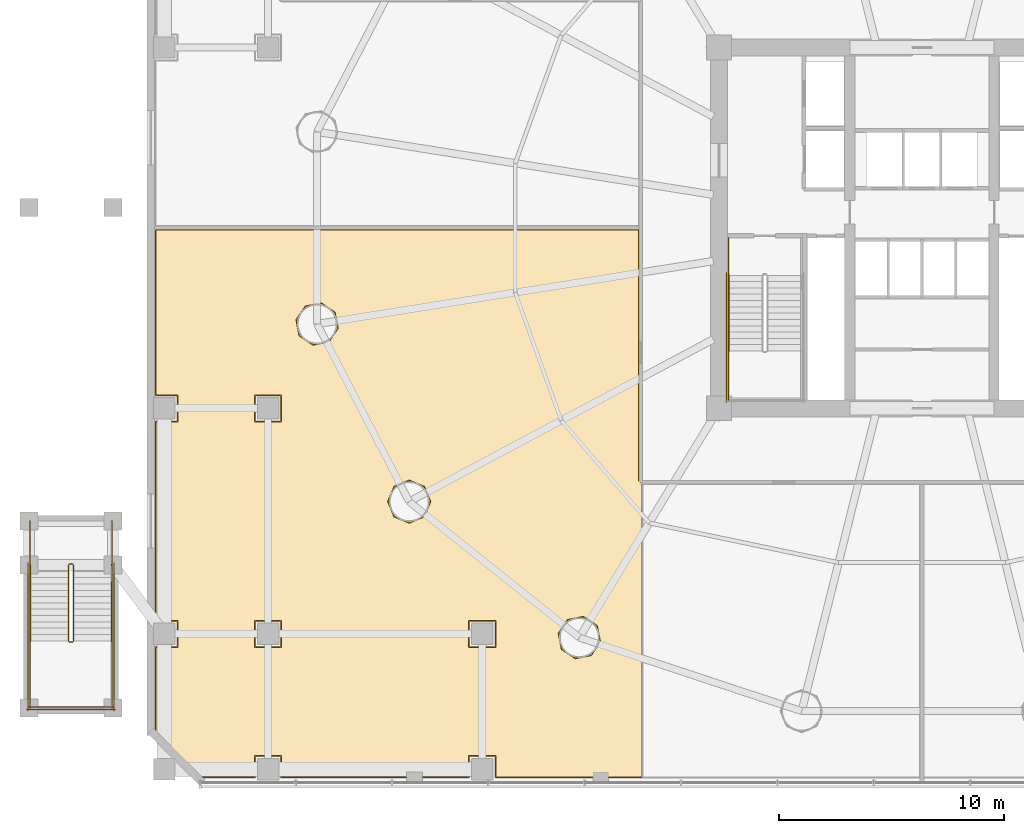
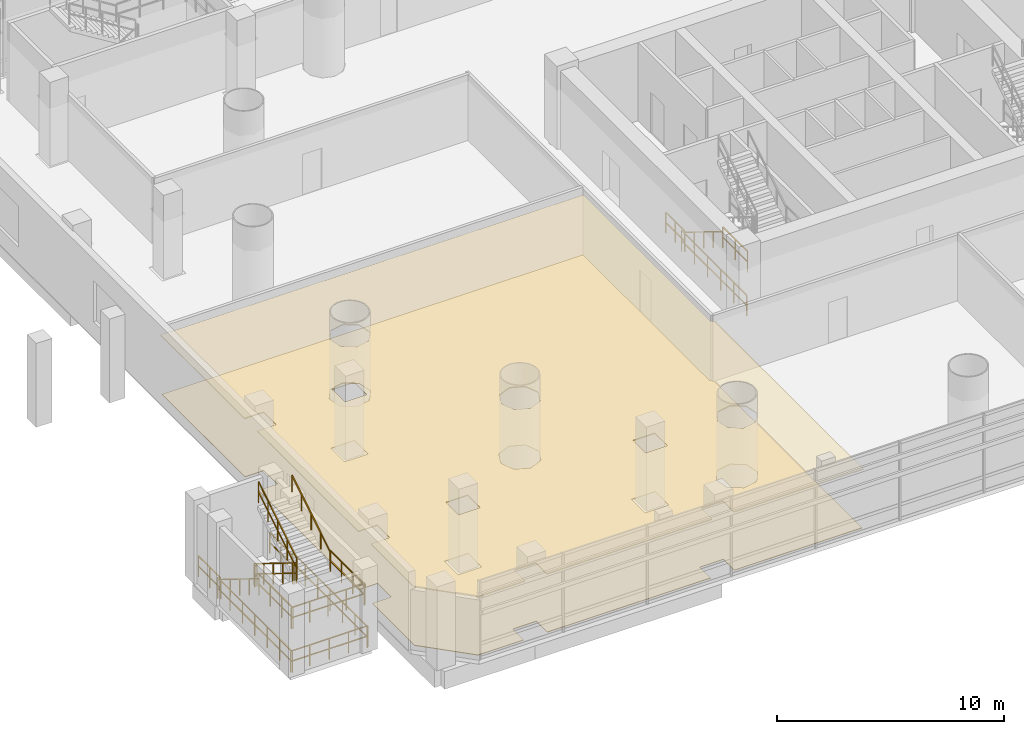
# One storey, part 27 of 36: 18 railings, 2 coverings.
"""IFC4 building model written with IfcOpenShell, lengths in metres."""

from ifc_helpers import new_model, si_unit, direction, frame, origin, origin_2d, place, context, subcontext, project, spatial, polyline, rectangle, outline, extrude, material, layer, layer_set, type_object, element, save


model = new_model("IFC4")

# Units and contexts
model_context = context("Model", 3, precision=1e-05, world=origin(), true_north=direction((-0.2419218956, 0.970295726276)))
body_context = subcontext(model_context, "Body", "Model", "MODEL_VIEW")
ifc_project = project(units=[si_unit("LENGTHUNIT", "METRE"), si_unit("AREAUNIT", "SQUARE_METRE"), si_unit("VOLUMEUNIT", "CUBIC_METRE"), si_unit("PLANEANGLEUNIT", "RADIAN"), si_unit("MASSUNIT", "GRAM", prefix="KILO")], contexts=[model_context])

# Site, building, storey
site_placement = place(None, origin())
site = spatial("IfcSite", under=ifc_project, at=site_placement, CompositionType="ELEMENT")
building_placement = place(site_placement, origin())
building = spatial("IfcBuilding", under=site, at=building_placement, Name="Cobrevalo Terracotta Tower", CompositionType="ELEMENT")
storey_placement = place(building_placement, frame((0.0, 0.0, 5.39990234375)))
storey = spatial("IfcBuildingStorey", under=building, at=storey_placement, Name="L01", CompositionType="ELEMENT", Elevation=5.39990234375)

# Coverings
ifc_material_1 = material(Name="Honed terracotta and granite tile", Category="masonry")
ifc_layer_1 = layer(ifc_material_1, 0.034912109375)
ifc_layer_set_1 = layer_set([ifc_layer_1], Name="Honed terracotta and granite tile")
covering_type_1 = type_object("IfcCoveringType", Name="Honed Terracotta & Granite Interior Flooring 35", PredefinedType="FLOORING", material=ifc_layer_set_1)
covering_1_placement = place(storey_placement, origin())
element("IfcCovering", 1, at=covering_1_placement, inside=storey, type_object=covering_type_1, Name="L01 Terracotta Design Gallery floor finish", PredefinedType="FLOORING", context=body_context, shape_type="SweptSolid", body=[
    extrude(outline(polyline([(4.0400390625, 4.478271484375), (4.0400390625, 8.199951171875), (5.0, 8.199951171875), (5.0, 9.39990234375), (4.0400390625, 9.39990234375), (4.0400390625, 18.199951171875), (5.0, 18.199951171875), (5.0, 19.39990234375), (4.0400390625, 19.39990234375), (4.0400390625, 26.699951171875), (25.419921875, 26.699951171875), (25.419921875, 15.59814453125), (25.580078125, 15.423583984375), (25.580078125, 2.43994140625), (19.10009765625, 2.43994140625), (19.10009765625, 3.39990234375), (17.89990234375, 3.39990234375), (17.89990234375, 2.43994140625), (9.60009765625, 2.43994140625), (9.60009765625, 3.39990234375), (8.39990234375, 3.39990234375), (8.39990234375, 2.43994140625), (6.078369140625, 2.43994140625), (4.0400390625, 4.478271484375)]), holes=[polyline([(23.338623046875, 7.833984375), (23.746826171875, 8.445068359375), (23.603515625, 9.165771484375), (22.992431640625, 9.573974609375), (22.271728515625, 9.4306640625), (21.863525390625, 8.819580078125), (22.0068359375, 8.098876953125), (22.617919921875, 7.690673828125), (23.338623046875, 7.833984375)]), polyline([(17.89990234375, 9.39990234375), (17.89990234375, 8.199951171875), (19.10009765625, 8.199951171875), (19.10009765625, 9.39990234375), (17.89990234375, 9.39990234375)]), polyline([(15.938232421875, 13.98193359375), (16.219482421875, 14.660888671875), (15.938232421875, 15.339599609375), (15.25927734375, 15.620849609375), (14.580322265625, 15.339599609375), (14.29931640625, 14.660888671875), (14.580322265625, 13.98193359375), (15.25927734375, 13.70068359375), (15.938232421875, 13.98193359375)]), polyline([(11.708984375, 21.739013671875), (12.1171875, 22.349853515625), (11.973876953125, 23.07080078125), (11.36279296875, 23.47900390625), (10.64208984375, 23.33544921875), (10.23388671875, 22.724609375), (10.377197265625, 22.00390625), (10.98828125, 21.595703125), (11.708984375, 21.739013671875)]), polyline([(8.39990234375, 9.39990234375), (8.39990234375, 8.199951171875), (9.60009765625, 8.199951171875), (9.60009765625, 9.39990234375), (8.39990234375, 9.39990234375)]), polyline([(8.39990234375, 19.39990234375), (8.39990234375, 18.199951171875), (9.60009765625, 18.199951171875), (9.60009765625, 19.39990234375), (8.39990234375, 19.39990234375)])]), origin(), (0.0, 0.0, 1.0), 0.030029296875),
])
ifc_material_2 = material(Name="Acoustic perforated gypsum ceiling", Category="gypsum")
ifc_layer_2 = layer(ifc_material_2, 0.050048828125)
ifc_layer_set_2 = layer_set([ifc_layer_2], Name="Acoustic perforated gypsum ceiling")
covering_type_2 = type_object("IfcCoveringType", Name="Perforated Acoustic Gypsum Ceiling 50", PredefinedType="CEILING", material=ifc_layer_set_2)
covering_2_placement = place(storey_placement, frame((0.0, 0.0, 3.16015625)))
element("IfcCovering", 2, at=covering_2_placement, inside=storey, type_object=covering_type_2, Name="L01 Terracotta Design Gallery acoustic ceiling", PredefinedType="CEILING", context=body_context, shape_type="SweptSolid", body=[
    extrude(outline(polyline([(3.9951171875, 4.459716796875), (3.9951171875, 8.2451171875), (4.955078125, 8.2451171875), (4.955078125, 9.35498046875), (3.9951171875, 9.35498046875), (3.9951171875, 18.2451171875), (4.955078125, 18.2451171875), (4.955078125, 19.35498046875), (3.9951171875, 19.35498046875), (3.9951171875, 26.7451171875), (25.465087890625, 26.7451171875), (25.465087890625, 15.6025390625), (25.625, 15.46044921875), (25.625, 2.39501953125), (19.054931640625, 2.39501953125), (19.054931640625, 3.35498046875), (17.945068359375, 3.35498046875), (17.945068359375, 2.39501953125), (9.554931640625, 2.39501953125), (9.554931640625, 3.35498046875), (8.445068359375, 3.35498046875), (8.445068359375, 2.39501953125), (6.0595703125, 2.39501953125), (3.9951171875, 4.459716796875)]), holes=[polyline([(23.3134765625, 7.87158203125), (23.702392578125, 8.453857421875), (23.56591796875, 9.140625), (22.983642578125, 9.52978515625), (22.296875, 9.39306640625), (21.907958984375, 8.810791015625), (22.04443359375, 8.1240234375), (22.626708984375, 7.735107421875), (23.3134765625, 7.87158203125)]), polyline([(17.945068359375, 9.35498046875), (17.945068359375, 8.2451171875), (19.054931640625, 8.2451171875), (19.054931640625, 9.35498046875), (17.945068359375, 9.35498046875)]), polyline([(15.90625, 14.013916015625), (16.174072265625, 14.660888671875), (15.90625, 15.3076171875), (15.25927734375, 15.57568359375), (14.6123046875, 15.3076171875), (14.344482421875, 14.660888671875), (14.6123046875, 14.013916015625), (15.25927734375, 13.745849609375), (15.90625, 14.013916015625)]), polyline([(11.683837890625, 21.776611328125), (12.07275390625, 22.35888671875), (11.936279296875, 23.045654296875), (11.35400390625, 23.4345703125), (10.667236328125, 23.2978515625), (10.2783203125, 22.7158203125), (10.414794921875, 22.029052734375), (10.9970703125, 21.639892578125), (11.683837890625, 21.776611328125)]), polyline([(8.445068359375, 9.35498046875), (8.445068359375, 8.2451171875), (9.554931640625, 8.2451171875), (9.554931640625, 9.35498046875), (8.445068359375, 9.35498046875)]), polyline([(8.445068359375, 19.35498046875), (8.445068359375, 18.2451171875), (9.554931640625, 18.2451171875), (9.554931640625, 19.35498046875), (8.445068359375, 19.35498046875)])]), origin(), (0.0, 0.0, 1.0), 0.050048828125),
])

# Railings
ifc_material_3 = material(Name="Brushed stainless steel", Category="steel")
railing_type_1 = type_object("IfcRailingType", Name="Stainless Steel Stair Handrail 900", PredefinedType="HANDRAIL", material=ifc_material_3)
railing_1_placement = place(storey_placement, frame((29.425048828125, 24.699951171875, 0.173095703125)))
element("IfcRailing", 3, at=railing_1_placement, inside=storey, type_object=railing_type_1, Name="L01 ST-1 stair handrail 1", PredefinedType="HANDRAIL", context=body_context, shape_type="SweptSolid", body=[
    extrude(rectangle(XDim=0.048095703125, YDim=0.048095703125, at=origin_2d()), frame((0.0, 0.0, 0.8759765625), z_axis=(0.0, -0.850606129759, 0.525803396734), x_axis=(1.0, 0.0, 0.0)), (0.0, 0.0, 1.0), 3.949951171875),
    extrude(rectangle(XDim=0.0419921875, YDim=0.0419921875, at=origin_2d()), origin(), (0.0, 0.0, 1.0), 0.851806640625),
    extrude(rectangle(XDim=0.0419921875, YDim=0.0419921875, at=origin_2d()), frame((0.0, -0.83984375, 0.519287109375)), (0.0, 0.0, 1.0), 0.851806640625),
    extrude(rectangle(XDim=0.0419921875, YDim=0.0419921875, at=origin_2d()), frame((0.0, -1.679931640625, 1.03857421875)), (0.0, 0.0, 1.0), 0.851806640625),
    extrude(rectangle(XDim=0.0419921875, YDim=0.0419921875, at=origin_2d()), frame((0.0, -2.52001953125, 1.5576171875)), (0.0, 0.0, 1.0), 0.851806640625),
    extrude(rectangle(XDim=0.0419921875, YDim=0.0419921875, at=origin_2d()), frame((0.0, -3.35986328125, 2.076904296875)), (0.0, 0.0, 1.0), 0.851806640625),
])
railing_2_placement = place(storey_placement, frame((-1.550048828125, 11.85009765625, 0.173095703125)))
element("IfcRailing", 4, at=railing_2_placement, inside=storey, type_object=railing_type_1, Name="L01 ST-EXT-W stair handrail 1", PredefinedType="HANDRAIL", context=body_context, shape_type="SweptSolid", body=[
    extrude(rectangle(XDim=0.048095703125, YDim=0.048095703125, at=origin_2d()), frame((0.0, 0.0, 0.8759765625), z_axis=(0.0, -0.850623216509, 0.525775754039), x_axis=(1.0, 0.0, 0.0)), (0.0, 0.0, 1.0), 3.9501953125),
    extrude(rectangle(XDim=0.0419921875, YDim=0.0419921875, at=origin_2d()), origin(), (0.0, 0.0, 1.0), 0.851806640625),
    extrude(rectangle(XDim=0.0419921875, YDim=0.0419921875, at=origin_2d()), frame((0.0, -0.840087890625, 0.519287109375)), (0.0, 0.0, 1.0), 0.851806640625),
    extrude(rectangle(XDim=0.0419921875, YDim=0.0419921875, at=origin_2d()), frame((0.0, -1.68017578125, 1.03857421875)), (0.0, 0.0, 1.0), 0.851806640625),
    extrude(rectangle(XDim=0.0419921875, YDim=0.0419921875, at=origin_2d()), frame((0.0, -2.52001953125, 1.5576171875)), (0.0, 0.0, 1.0), 0.851806640625),
    extrude(rectangle(XDim=0.0419921875, YDim=0.0419921875, at=origin_2d()), frame((0.0, -3.360107421875, 2.076904296875)), (0.0, 0.0, 1.0), 0.851806640625),
])
railing_3_placement = place(storey_placement, frame((2.070068359375, 8.489990234375, 2.423095703125)))
element("IfcRailing", 5, at=railing_3_placement, inside=storey, type_object=railing_type_1, Name="L01 ST-EXT-W stair handrail 2", PredefinedType="HANDRAIL", context=body_context, shape_type="SweptSolid", body=[
    extrude(rectangle(XDim=0.048095703125, YDim=0.048095703125, at=origin_2d()), frame((0.0, 0.0, 0.8759765625), z_axis=(0.0, 0.850623216509, 0.525775754039), x_axis=(-1.0, 0.0, 0.0)), (0.0, 0.0, 1.0), 3.9501953125),
    extrude(rectangle(XDim=0.0419921875, YDim=0.0419921875, at=origin_2d()), origin(), (0.0, 0.0, 1.0), 0.851806640625),
    extrude(rectangle(XDim=0.0419921875, YDim=0.0419921875, at=origin_2d()), frame((0.0, 0.840087890625, 0.519287109375)), (0.0, 0.0, 1.0), 0.851806640625),
    extrude(rectangle(XDim=0.0419921875, YDim=0.0419921875, at=origin_2d()), frame((0.0, 1.68017578125, 1.03857421875)), (0.0, 0.0, 1.0), 0.851806640625),
    extrude(rectangle(XDim=0.0419921875, YDim=0.0419921875, at=origin_2d()), frame((0.0, 2.52001953125, 1.5576171875)), (0.0, 0.0, 1.0), 0.851806640625),
    extrude(rectangle(XDim=0.0419921875, YDim=0.0419921875, at=origin_2d()), frame((0.0, 3.360107421875, 2.076904296875)), (0.0, 0.0, 1.0), 0.851806640625),
])
ifc_material_4 = material(Name="Painted galvanized steel", Category="steel")
railing_type_2 = type_object("IfcRailingType", Name="Stair Well Guard Balustrade 1150", PredefinedType="GUARDRAIL", material=ifc_material_4)
railing_4_placement = place(storey_placement, frame((29.425048828125, 21.340087890625, 2.25)))
element("IfcRailing", 6, at=railing_4_placement, inside=storey, type_object=railing_type_2, Name="L01 ST-1 stair guard 3", PredefinedType="GUARDRAIL", context=body_context, shape_type="SweptSolid", body=[
    extrude(rectangle(XDim=0.048095703125, YDim=0.048095703125, at=origin_2d()), frame((0.0, 0.0, 1.1259765625), z_axis=(0.0, -1.0, 0.0), x_axis=(1.0, 0.0, 0.0)), (0.0, 0.0, 1.0), 2.1650390625),
    extrude(rectangle(XDim=0.048095703125, YDim=0.048095703125, at=origin_2d()), frame((0.0, 0.0, 0.574951171875), z_axis=(0.0, -1.0, 0.0), x_axis=(1.0, 0.0, 0.0)), (0.0, 0.0, 1.0), 2.1650390625),
    extrude(rectangle(XDim=0.0419921875, YDim=0.0419921875, at=origin_2d()), origin(), (0.0, 0.0, 1.0), 1.101806640625),
    extrude(rectangle(XDim=0.0419921875, YDim=0.0419921875, at=origin_2d()), frame((0.0, -1.08251953125, 0.0)), (0.0, 0.0, 1.0), 1.101806640625),
    extrude(rectangle(XDim=0.0419921875, YDim=0.0419921875, at=origin_2d()), frame((0.0, -2.1650390625, 0.0)), (0.0, 0.0, 1.0), 1.101806640625),
])
railing_5_placement = place(storey_placement, frame((29.425048828125, 26.35009765625, 0.0)))
element("IfcRailing", 7, at=railing_5_placement, inside=storey, type_object=railing_type_2, Name="L01 ST-1 stair guard 8", PredefinedType="GUARDRAIL", context=body_context, shape_type="SweptSolid", body=[
    extrude(rectangle(XDim=0.048095703125, YDim=0.048095703125, at=origin_2d()), frame((0.0, 0.0, 1.1259765625), z_axis=(0.0, -1.0, 0.0), x_axis=(1.0, 0.0, 0.0)), (0.0, 0.0, 1.0), 1.650146484375),
    extrude(rectangle(XDim=0.048095703125, YDim=0.048095703125, at=origin_2d()), frame((0.0, 0.0, 0.574951171875), z_axis=(0.0, -1.0, 0.0), x_axis=(1.0, 0.0, 0.0)), (0.0, 0.0, 1.0), 1.650146484375),
    extrude(rectangle(XDim=0.0419921875, YDim=0.0419921875, at=origin_2d()), origin(), (0.0, 0.0, 1.0), 1.101806640625),
    extrude(rectangle(XDim=0.0419921875, YDim=0.0419921875, at=origin_2d()), frame((0.0, -0.8251953125, 0.0)), (0.0, 0.0, 1.0), 1.101806640625),
    extrude(rectangle(XDim=0.0419921875, YDim=0.0419921875, at=origin_2d()), frame((0.0, -1.650146484375, 0.0)), (0.0, 0.0, 1.0), 1.101806640625),
])
railing_6_placement = place(storey_placement, frame((29.324951171875, 24.800048828125, 0.0)))
element("IfcRailing", 8, at=railing_6_placement, inside=storey, type_object=railing_type_2, Name="L01 ST-1 stair guard 10", PredefinedType="GUARDRAIL", context=body_context, shape_type="SweptSolid", body=[
    extrude(rectangle(XDim=0.048095703125, YDim=0.048095703125, at=origin_2d()), frame((0.0, 0.0, 1.1259765625), z_axis=(0.0, -1.0, 0.0), x_axis=(1.0, 0.0, 0.0)), (0.0, 0.0, 1.0), 5.72509765625),
    extrude(rectangle(XDim=0.048095703125, YDim=0.048095703125, at=origin_2d()), frame((0.0, 0.0, 0.574951171875), z_axis=(0.0, -1.0, 0.0), x_axis=(1.0, 0.0, 0.0)), (0.0, 0.0, 1.0), 5.72509765625),
    extrude(rectangle(XDim=0.0419921875, YDim=0.0419921875, at=origin_2d()), origin(), (0.0, 0.0, 1.0), 1.101806640625),
    extrude(rectangle(XDim=0.0419921875, YDim=0.0419921875, at=origin_2d()), frame((0.0, -1.14501953125, 0.0)), (0.0, 0.0, 1.0), 1.101806640625),
    extrude(rectangle(XDim=0.0419921875, YDim=0.0419921875, at=origin_2d()), frame((0.0, -2.2900390625, 0.0)), (0.0, 0.0, 1.0), 1.101806640625),
    extrude(rectangle(XDim=0.0419921875, YDim=0.0419921875, at=origin_2d()), frame((0.0, -3.43505859375, 0.0)), (0.0, 0.0, 1.0), 1.101806640625),
    extrude(rectangle(XDim=0.0419921875, YDim=0.0419921875, at=origin_2d()), frame((0.0, -4.580078125, 0.0)), (0.0, 0.0, 1.0), 1.101806640625),
    extrude(rectangle(XDim=0.0419921875, YDim=0.0419921875, at=origin_2d()), frame((0.0, -5.72509765625, 0.0)), (0.0, 0.0, 1.0), 1.101806640625),
])
railing_7_placement = place(storey_placement, frame((0.14990234375, 11.85009765625, 0.173095703125)))
element("IfcRailing", 9, at=railing_7_placement, inside=storey, type_object=railing_type_2, Name="L01 ST-EXT-W stair guard 1", PredefinedType="GUARDRAIL", context=body_context, shape_type="SweptSolid", body=[
    extrude(rectangle(XDim=0.048095703125, YDim=0.048095703125, at=origin_2d()), frame((0.0, 0.0, 1.1259765625), z_axis=(0.0, -0.850623216509, 0.525775754039), x_axis=(1.0, 0.0, 0.0)), (0.0, 0.0, 1.0), 3.9501953125),
    extrude(rectangle(XDim=0.048095703125, YDim=0.048095703125, at=origin_2d()), frame((0.0, 0.0, 0.574951171875), z_axis=(0.0, -0.850623216509, 0.525775754039), x_axis=(1.0, 0.0, 0.0)), (0.0, 0.0, 1.0), 3.9501953125),
    extrude(rectangle(XDim=0.0419921875, YDim=0.0419921875, at=origin_2d()), origin(), (0.0, 0.0, 1.0), 1.101806640625),
    extrude(rectangle(XDim=0.0419921875, YDim=0.0419921875, at=origin_2d()), frame((0.0, -0.840087890625, 0.519287109375)), (0.0, 0.0, 1.0), 1.101806640625),
    extrude(rectangle(XDim=0.0419921875, YDim=0.0419921875, at=origin_2d()), frame((0.0, -1.68017578125, 1.03857421875)), (0.0, 0.0, 1.0), 1.101806640625),
    extrude(rectangle(XDim=0.0419921875, YDim=0.0419921875, at=origin_2d()), frame((0.0, -2.52001953125, 1.5576171875)), (0.0, 0.0, 1.0), 1.101806640625),
    extrude(rectangle(XDim=0.0419921875, YDim=0.0419921875, at=origin_2d()), frame((0.0, -3.360107421875, 2.076904296875)), (0.0, 0.0, 1.0), 1.101806640625),
])
railing_8_placement = place(storey_placement, frame((0.199951171875, 8.43994140625, 2.25)))
element("IfcRailing", 10, at=railing_8_placement, inside=storey, type_object=railing_type_2, Name="L01 ST-EXT-W stair guard 2", PredefinedType="GUARDRAIL", context=body_context, shape_type="SweptSolid", body=[
    extrude(rectangle(XDim=0.048095703125, YDim=0.048095703125, at=origin_2d()), frame((0.0, 0.0, 1.1259765625), z_axis=(1.0, 0.0, 0.0), x_axis=(0.0, 1.0, 0.0)), (0.0, 0.0, 1.0), 0.1201171875),
    extrude(rectangle(XDim=0.048095703125, YDim=0.048095703125, at=origin_2d()), frame((0.0, 0.0, 0.574951171875), z_axis=(1.0, 0.0, 0.0), x_axis=(0.0, 1.0, 0.0)), (0.0, 0.0, 1.0), 0.1201171875),
    extrude(rectangle(XDim=0.0419921875, YDim=0.0419921875, at=origin_2d()), origin(), (0.0, 0.0, 1.0), 1.101806640625),
    extrude(rectangle(XDim=0.0419921875, YDim=0.0419921875, at=origin_2d()), frame((0.1201171875, 0.0, 0.0)), (0.0, 0.0, 1.0), 1.101806640625),
])
for number, where, name in (
    (11, (-1.550048828125, 8.489990234375, 2.25), "L01 ST-EXT-W stair guard 3"),
    (12, (2.070068359375, 8.489990234375, 2.25), "L01 ST-EXT-W stair guard 4"),
):
    element("IfcRailing", number, at=place(storey_placement, frame(where)), inside=storey, type_object=railing_type_2, Name=name, PredefinedType="GUARDRAIL", context=body_context, shape_type="SweptSolid", body=[
        extrude(rectangle(XDim=0.048095703125, YDim=0.048095703125, at=origin_2d()), frame((0.0, 0.0, 1.1259765625), z_axis=(0.0, -1.0, 0.0), x_axis=(1.0, 0.0, 0.0)), (0.0, 0.0, 1.0), 2.989990234375),
        extrude(rectangle(XDim=0.048095703125, YDim=0.048095703125, at=origin_2d()), frame((0.0, 0.0, 0.574951171875), z_axis=(0.0, -1.0, 0.0), x_axis=(1.0, 0.0, 0.0)), (0.0, 0.0, 1.0), 2.989990234375),
        extrude(rectangle(XDim=0.0419921875, YDim=0.0419921875, at=origin_2d()), origin(), (0.0, 0.0, 1.0), 1.101806640625),
        extrude(rectangle(XDim=0.0419921875, YDim=0.0419921875, at=origin_2d()), frame((0.0, -0.99658203125, 0.0)), (0.0, 0.0, 1.0), 1.101806640625),
        extrude(rectangle(XDim=0.0419921875, YDim=0.0419921875, at=origin_2d()), frame((0.0, -1.993408203125, 0.0)), (0.0, 0.0, 1.0), 1.101806640625),
        extrude(rectangle(XDim=0.0419921875, YDim=0.0419921875, at=origin_2d()), frame((0.0, -2.989990234375, 0.0)), (0.0, 0.0, 1.0), 1.101806640625),
    ])
railing_9_placement = place(storey_placement, frame((-1.60009765625, 5.550048828125, 2.25)))
element("IfcRailing", 13, at=railing_9_placement, inside=storey, type_object=railing_type_2, Name="L01 ST-EXT-W stair guard 5", PredefinedType="GUARDRAIL", context=body_context, shape_type="SweptSolid", body=[
    extrude(rectangle(XDim=0.048095703125, YDim=0.048095703125, at=origin_2d()), frame((0.0, 0.0, 1.1259765625), z_axis=(1.0, 0.0, 0.0), x_axis=(0.0, 1.0, 0.0)), (0.0, 0.0, 1.0), 3.72021484375),
    extrude(rectangle(XDim=0.048095703125, YDim=0.048095703125, at=origin_2d()), frame((0.0, 0.0, 0.574951171875), z_axis=(1.0, 0.0, 0.0), x_axis=(0.0, 1.0, 0.0)), (0.0, 0.0, 1.0), 3.72021484375),
    extrude(rectangle(XDim=0.0419921875, YDim=0.0419921875, at=origin_2d()), origin(), (0.0, 0.0, 1.0), 1.101806640625),
    extrude(rectangle(XDim=0.0419921875, YDim=0.0419921875, at=origin_2d()), frame((0.93017578125, 0.0, 0.0)), (0.0, 0.0, 1.0), 1.101806640625),
    extrude(rectangle(XDim=0.0419921875, YDim=0.0419921875, at=origin_2d()), frame((1.860107421875, 0.0, 0.0)), (0.0, 0.0, 1.0), 1.101806640625),
    extrude(rectangle(XDim=0.0419921875, YDim=0.0419921875, at=origin_2d()), frame((2.7900390625, 0.0, 0.0)), (0.0, 0.0, 1.0), 1.101806640625),
    extrude(rectangle(XDim=0.0419921875, YDim=0.0419921875, at=origin_2d()), frame((3.72021484375, 0.0, 0.0)), (0.0, 0.0, 1.0), 1.101806640625),
])
railing_10_placement = place(storey_placement, frame((0.3701171875, 8.489990234375, 2.423095703125)))
element("IfcRailing", 14, at=railing_10_placement, inside=storey, type_object=railing_type_2, Name="L01 ST-EXT-W stair guard 6", PredefinedType="GUARDRAIL", context=body_context, shape_type="SweptSolid", body=[
    extrude(rectangle(XDim=0.048095703125, YDim=0.048095703125, at=origin_2d()), frame((0.0, 0.0, 1.1259765625), z_axis=(0.0, 0.850623216509, 0.525775754039), x_axis=(-1.0, 0.0, 0.0)), (0.0, 0.0, 1.0), 3.9501953125),
    extrude(rectangle(XDim=0.048095703125, YDim=0.048095703125, at=origin_2d()), frame((0.0, 0.0, 0.574951171875), z_axis=(0.0, 0.850623216509, 0.525775754039), x_axis=(-1.0, 0.0, 0.0)), (0.0, 0.0, 1.0), 3.9501953125),
    extrude(rectangle(XDim=0.0419921875, YDim=0.0419921875, at=origin_2d()), origin(), (0.0, 0.0, 1.0), 1.101806640625),
    extrude(rectangle(XDim=0.0419921875, YDim=0.0419921875, at=origin_2d()), frame((0.0, 0.840087890625, 0.519287109375)), (0.0, 0.0, 1.0), 1.101806640625),
    extrude(rectangle(XDim=0.0419921875, YDim=0.0419921875, at=origin_2d()), frame((0.0, 1.68017578125, 1.03857421875)), (0.0, 0.0, 1.0), 1.101806640625),
    extrude(rectangle(XDim=0.0419921875, YDim=0.0419921875, at=origin_2d()), frame((0.0, 2.52001953125, 1.5576171875)), (0.0, 0.0, 1.0), 1.101806640625),
    extrude(rectangle(XDim=0.0419921875, YDim=0.0419921875, at=origin_2d()), frame((0.0, 3.360107421875, 2.076904296875)), (0.0, 0.0, 1.0), 1.101806640625),
])
railing_11_placement = place(storey_placement, frame((0.199951171875, 11.89990234375, 0.0)))
element("IfcRailing", 15, at=railing_11_placement, inside=storey, type_object=railing_type_2, Name="L01 ST-EXT-W stair guard 7", PredefinedType="GUARDRAIL", context=body_context, shape_type="SweptSolid", body=[
    extrude(rectangle(XDim=0.048095703125, YDim=0.048095703125, at=origin_2d()), frame((0.0, 0.0, 1.1259765625), z_axis=(1.0, 0.0, 0.0), x_axis=(0.0, 1.0, 0.0)), (0.0, 0.0, 1.0), 0.1201171875),
    extrude(rectangle(XDim=0.048095703125, YDim=0.048095703125, at=origin_2d()), frame((0.0, 0.0, 0.574951171875), z_axis=(1.0, 0.0, 0.0), x_axis=(0.0, 1.0, 0.0)), (0.0, 0.0, 1.0), 0.1201171875),
    extrude(rectangle(XDim=0.0419921875, YDim=0.0419921875, at=origin_2d()), origin(), (0.0, 0.0, 1.0), 1.101806640625),
    extrude(rectangle(XDim=0.0419921875, YDim=0.0419921875, at=origin_2d()), frame((0.1201171875, 0.0, 0.0)), (0.0, 0.0, 1.0), 1.101806640625),
])
for number, where, name in (
    (16, (-1.550048828125, 13.800048828125, 0.0), "L01 ST-EXT-W stair guard 8"),
    (17, (2.070068359375, 13.800048828125, 0.0), "L01 ST-EXT-W stair guard 9"),
):
    element("IfcRailing", number, at=place(storey_placement, frame(where)), inside=storey, type_object=railing_type_2, Name=name, PredefinedType="GUARDRAIL", context=body_context, shape_type="SweptSolid", body=[
        extrude(rectangle(XDim=0.048095703125, YDim=0.048095703125, at=origin_2d()), frame((0.0, 0.0, 1.1259765625), z_axis=(0.0, -1.0, 0.0), x_axis=(1.0, 0.0, 0.0)), (0.0, 0.0, 1.0), 1.949951171875),
        extrude(rectangle(XDim=0.048095703125, YDim=0.048095703125, at=origin_2d()), frame((0.0, 0.0, 0.574951171875), z_axis=(0.0, -1.0, 0.0), x_axis=(1.0, 0.0, 0.0)), (0.0, 0.0, 1.0), 1.949951171875),
        extrude(rectangle(XDim=0.0419921875, YDim=0.0419921875, at=origin_2d()), origin(), (0.0, 0.0, 1.0), 1.101806640625),
        extrude(rectangle(XDim=0.0419921875, YDim=0.0419921875, at=origin_2d()), frame((0.0, -0.97509765625, 0.0)), (0.0, 0.0, 1.0), 1.101806640625),
        extrude(rectangle(XDim=0.0419921875, YDim=0.0419921875, at=origin_2d()), frame((0.0, -1.949951171875, 0.0)), (0.0, 0.0, 1.0), 1.101806640625),
    ])
for number, where, name in (
    (18, (-1.64990234375, 11.949951171875, 0.0), "L01 ST-EXT-W stair guard 10"),
    (19, (2.169921875, 11.949951171875, 0.0), "L01 ST-EXT-W stair guard 11"),
):
    element("IfcRailing", number, at=place(storey_placement, frame(where)), inside=storey, type_object=railing_type_2, Name=name, PredefinedType="GUARDRAIL", context=body_context, shape_type="SweptSolid", body=[
        extrude(rectangle(XDim=0.048095703125, YDim=0.048095703125, at=origin_2d()), frame((0.0, 0.0, 1.1259765625), z_axis=(0.0, -1.0, 0.0), x_axis=(1.0, 0.0, 0.0)), (0.0, 0.0, 1.0), 6.550048828125),
        extrude(rectangle(XDim=0.048095703125, YDim=0.048095703125, at=origin_2d()), frame((0.0, 0.0, 0.574951171875), z_axis=(0.0, -1.0, 0.0), x_axis=(1.0, 0.0, 0.0)), (0.0, 0.0, 1.0), 6.550048828125),
        extrude(rectangle(XDim=0.0419921875, YDim=0.0419921875, at=origin_2d()), origin(), (0.0, 0.0, 1.0), 1.101806640625),
        extrude(rectangle(XDim=0.0419921875, YDim=0.0419921875, at=origin_2d()), frame((0.0, -1.091796875, 0.0)), (0.0, 0.0, 1.0), 1.101806640625),
        extrude(rectangle(XDim=0.0419921875, YDim=0.0419921875, at=origin_2d()), frame((0.0, -2.183349609375, 0.0)), (0.0, 0.0, 1.0), 1.101806640625),
        extrude(rectangle(XDim=0.0419921875, YDim=0.0419921875, at=origin_2d()), frame((0.0, -3.27490234375, 0.0)), (0.0, 0.0, 1.0), 1.101806640625),
        extrude(rectangle(XDim=0.0419921875, YDim=0.0419921875, at=origin_2d()), frame((0.0, -4.36669921875, 0.0)), (0.0, 0.0, 1.0), 1.101806640625),
        extrude(rectangle(XDim=0.0419921875, YDim=0.0419921875, at=origin_2d()), frame((0.0, -5.45849609375, 0.0)), (0.0, 0.0, 1.0), 1.101806640625),
        extrude(rectangle(XDim=0.0419921875, YDim=0.0419921875, at=origin_2d()), frame((0.0, -6.550048828125, 0.0)), (0.0, 0.0, 1.0), 1.101806640625),
    ])
railing_12_placement = place(storey_placement, frame((-1.699951171875, 5.449951171875, 0.0)))
element("IfcRailing", 20, at=railing_12_placement, inside=storey, type_object=railing_type_2, Name="L01 ST-EXT-W stair guard 12", PredefinedType="GUARDRAIL", context=body_context, shape_type="SweptSolid", body=[
    extrude(rectangle(XDim=0.048095703125, YDim=0.048095703125, at=origin_2d()), frame((0.0, 0.0, 1.1259765625), z_axis=(1.0, 0.0, 0.0), x_axis=(0.0, 1.0, 0.0)), (0.0, 0.0, 1.0), 3.919921875),
    extrude(rectangle(XDim=0.048095703125, YDim=0.048095703125, at=origin_2d()), frame((0.0, 0.0, 0.574951171875), z_axis=(1.0, 0.0, 0.0), x_axis=(0.0, 1.0, 0.0)), (0.0, 0.0, 1.0), 3.919921875),
    extrude(rectangle(XDim=0.0419921875, YDim=0.0419921875, at=origin_2d()), origin(), (0.0, 0.0, 1.0), 1.101806640625),
    extrude(rectangle(XDim=0.0419921875, YDim=0.0419921875, at=origin_2d()), frame((0.97998046875, 0.0, 0.0)), (0.0, 0.0, 1.0), 1.101806640625),
    extrude(rectangle(XDim=0.0419921875, YDim=0.0419921875, at=origin_2d()), frame((1.9599609375, 0.0, 0.0)), (0.0, 0.0, 1.0), 1.101806640625),
    extrude(rectangle(XDim=0.0419921875, YDim=0.0419921875, at=origin_2d()), frame((2.93994140625, 0.0, 0.0)), (0.0, 0.0, 1.0), 1.101806640625),
    extrude(rectangle(XDim=0.0419921875, YDim=0.0419921875, at=origin_2d()), frame((3.919921875, 0.0, 0.0)), (0.0, 0.0, 1.0), 1.101806640625),
])

save(model, "model.ifc")
